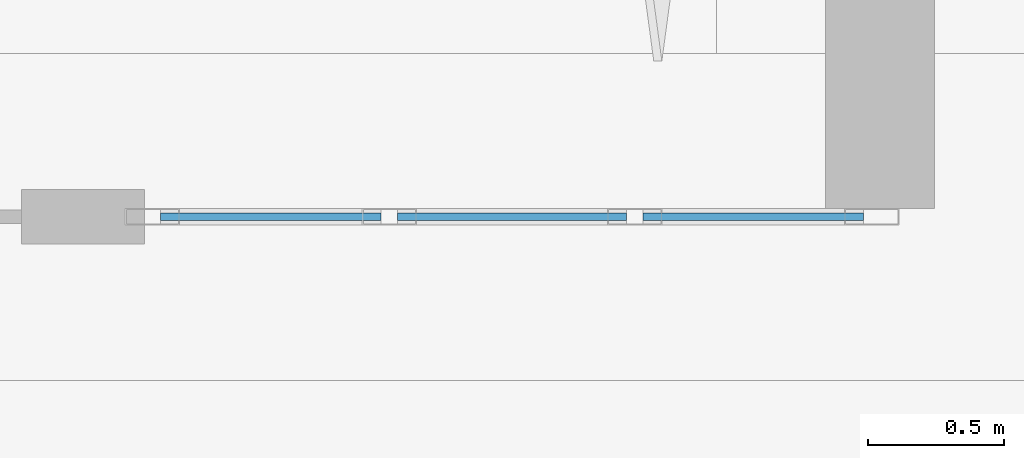
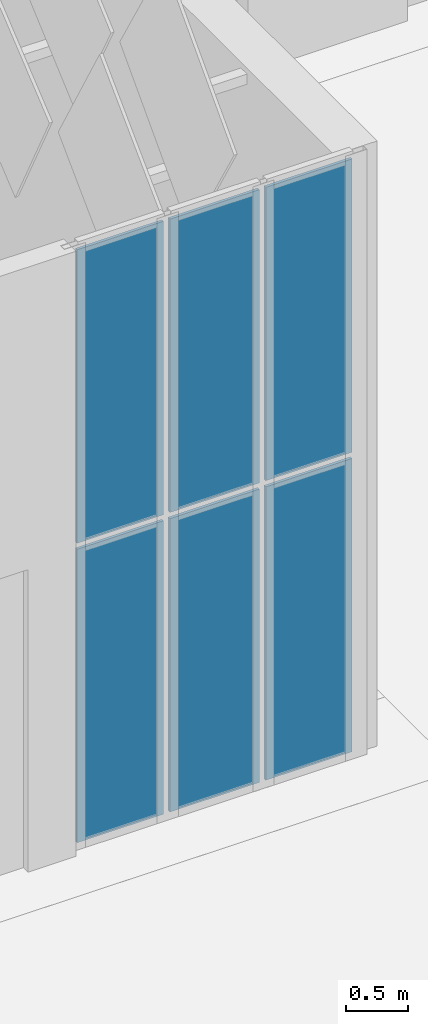
# One storey, part 73 of 198: 6 plates, 1 element without a shape of its own.
"""IFC4 building model written with IfcOpenShell, lengths in metres."""

from ifc_helpers import new_model, si_unit, direction, frame, origin, origin_2d, place, context, subcontext, project, spatial, rectangle, extrude, material, layer, layer_set, type_object, element, aggregate, save


model = new_model("IFC4")

# Units and contexts
model_context = context("Model", 3, precision=1e-05, world=origin(), true_north=direction((0.0, 1.0)))
body_context = subcontext(model_context, "Body", "Model", "MODEL_VIEW")
ifc_project = project(units=[si_unit("LENGTHUNIT", "METRE"), si_unit("AREAUNIT", "SQUARE_METRE"), si_unit("VOLUMEUNIT", "CUBIC_METRE"), si_unit("PLANEANGLEUNIT", "RADIAN"), si_unit("MASSUNIT", "GRAM", prefix="KILO")], contexts=[model_context])

# Site, building, storey
site_placement = place(None, origin())
site = spatial("IfcSite", under=ifc_project, at=site_placement, CompositionType="ELEMENT")
building_placement = place(site_placement, origin())
building = spatial("IfcBuilding", under=site, at=building_placement, Name="Opaline Strait Convention Centre", CompositionType="ELEMENT")
storey_placement = place(building_placement, origin())
storey = spatial("IfcBuildingStorey", under=building, at=storey_placement, Name="L00", CompositionType="ELEMENT", Elevation=0.0)

# Curtain wall, plates
ifc_material_1 = material(Name="Aluminium framed glazing", Category="aluminium")
ifc_layer_1 = layer(ifc_material_1, 0.199951171875)
ifc_layer_set_1 = layer_set([ifc_layer_1], Name="Aluminium framed glazing")
curtain_wall_type = type_object("IfcCurtainWallType", Name="Entrance curtain wall 1500", PredefinedType="NOTDEFINED", material=ifc_layer_set_1)
curtain_wall_placement = place(storey_placement, origin())
curtain_wall = element("IfcCurtainWall", 1, at=curtain_wall_placement, inside=storey, type_object=curtain_wall_type, Name="Entrance curtain wall L00-E2", PredefinedType="NOTDEFINED")
ifc_material_2 = material(Name="Double glazed unit low emissivity", Category="glass")
ifc_layer_2 = layer(ifc_material_2, 0.028076171875)
ifc_layer_set_2 = layer_set([ifc_layer_2], Name="Double glazed unit low emissivity")
plate_type = type_object("IfcPlateType", Name="Curtain wall glass panel 28", PredefinedType="CURTAIN_PANEL", material=ifc_layer_set_2)
plate_1_placement = place(storey_placement, frame((204.764892578125, 144.0, 0.06005859375), z_axis=(0.0, 0.0, 1.0), x_axis=(1.0, 0.0, 0.0)))
plate_1 = element("IfcPlate", 2, at=plate_1_placement, type_object=plate_type, Name="XCW panel 1.1", PredefinedType="CURTAIN_PANEL", context=body_context, shape_type="SweptSolid", body=[
    extrude(rectangle(XDim=0.81005859375, YDim=0.028076171875, at=origin_2d()), origin(), (0.0, 0.0, 1.0), 2.909912109375),
])
plate_2_placement = place(storey_placement, frame((204.764892578125, 144.0, 3.0302734375), z_axis=(0.0, 0.0, 1.0), x_axis=(1.0, 0.0, 0.0)))
plate_2 = element("IfcPlate", 3, at=plate_2_placement, type_object=plate_type, Name="XCW panel 1.2", PredefinedType="CURTAIN_PANEL", context=body_context, shape_type="SweptSolid", body=[
    extrude(rectangle(XDim=0.81005859375, YDim=0.028076171875, at=origin_2d()), origin(), (0.0, 0.0, 1.0), 2.909912109375),
])
plate_3_placement = place(storey_placement, frame((205.64990234375, 144.0, 0.06005859375), z_axis=(0.0, 0.0, 1.0), x_axis=(1.0, 0.0, 0.0)))
plate_3 = element("IfcPlate", 4, at=plate_3_placement, type_object=plate_type, Name="XCW panel 2.1", PredefinedType="CURTAIN_PANEL", context=body_context, shape_type="SweptSolid", body=[
    extrude(rectangle(XDim=0.840087890625, YDim=0.028076171875, at=origin_2d()), origin(), (0.0, 0.0, 1.0), 2.909912109375),
])
plate_4_placement = place(storey_placement, frame((205.64990234375, 144.0, 3.0302734375), z_axis=(0.0, 0.0, 1.0), x_axis=(1.0, 0.0, 0.0)))
plate_4 = element("IfcPlate", 5, at=plate_4_placement, type_object=plate_type, Name="XCW panel 2.2", PredefinedType="CURTAIN_PANEL", context=body_context, shape_type="SweptSolid", body=[
    extrude(rectangle(XDim=0.840087890625, YDim=0.028076171875, at=origin_2d()), origin(), (0.0, 0.0, 1.0), 2.909912109375),
])
plate_5_placement = place(storey_placement, frame((206.534912109375, 144.0, 0.06005859375), z_axis=(0.0, 0.0, 1.0), x_axis=(1.0, 0.0, 0.0)))
plate_5 = element("IfcPlate", 6, at=plate_5_placement, type_object=plate_type, Name="XCW panel 3.1", PredefinedType="CURTAIN_PANEL", context=body_context, shape_type="SweptSolid", body=[
    extrude(rectangle(XDim=0.81005859375, YDim=0.028076171875, at=origin_2d()), origin(), (0.0, 0.0, 1.0), 2.909912109375),
])
plate_6_placement = place(storey_placement, frame((206.534912109375, 144.0, 3.0302734375), z_axis=(0.0, 0.0, 1.0), x_axis=(1.0, 0.0, 0.0)))
plate_6 = element("IfcPlate", 7, at=plate_6_placement, type_object=plate_type, Name="XCW panel 3.2", PredefinedType="CURTAIN_PANEL", context=body_context, shape_type="SweptSolid", body=[
    extrude(rectangle(XDim=0.81005859375, YDim=0.028076171875, at=origin_2d()), origin(), (0.0, 0.0, 1.0), 2.909912109375),
])
aggregate(curtain_wall, [plate_1, plate_2, plate_3, plate_4, plate_5, plate_6])

save(model, "model.ifc")
